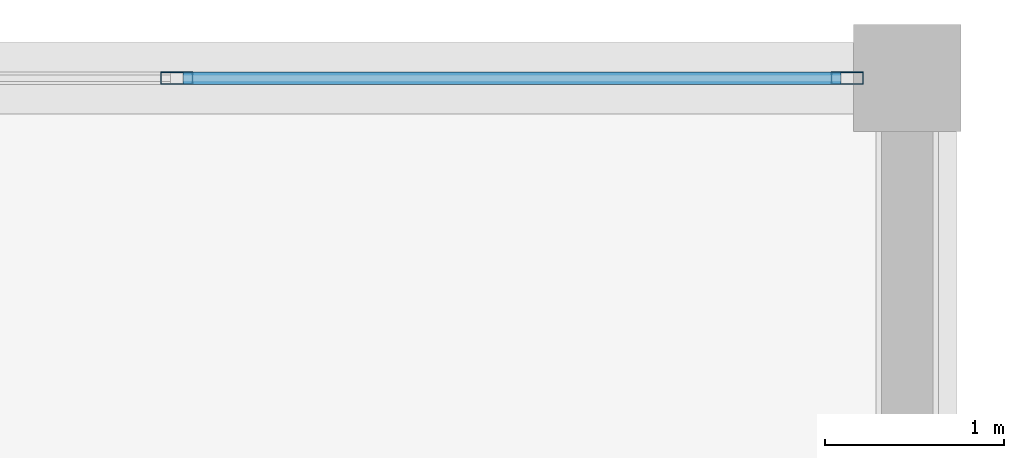
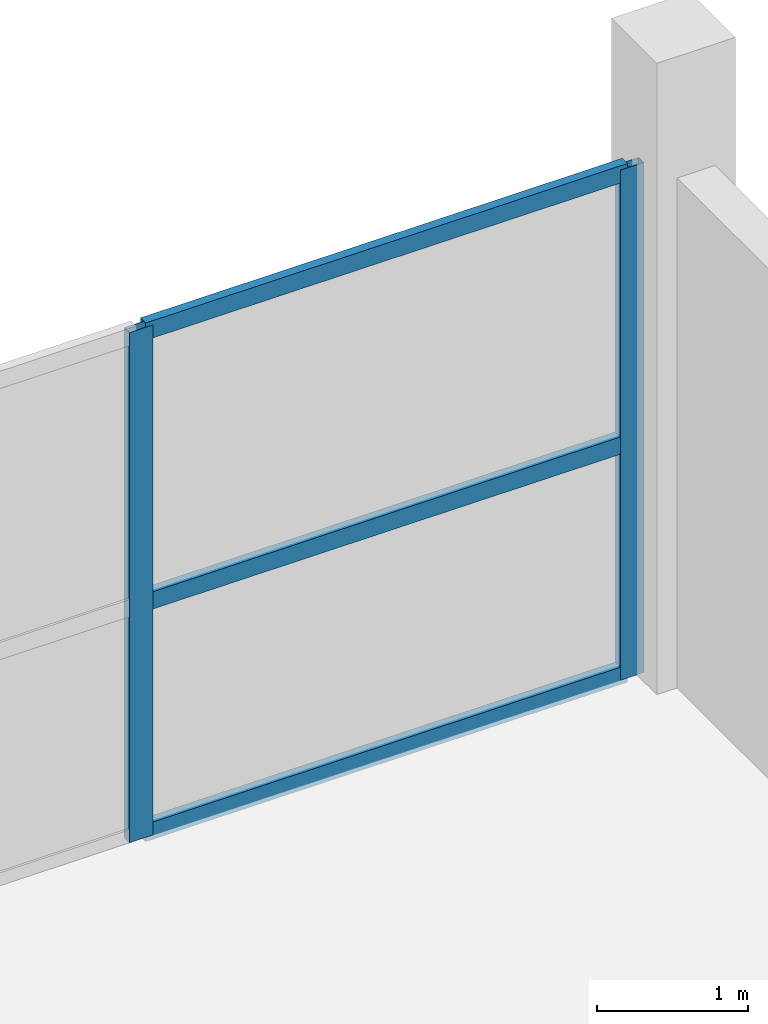
# One storey, part 46 of 66: 5 members, 1 element without a shape of its own.
"""IFC4 building model written with IfcOpenShell, lengths in metres."""

from ifc_helpers import new_model, si_unit, direction, frame, origin, origin_2d, place, context, subcontext, project, spatial, hollow_rectangle, extrude, material, layer, layer_set, material_profile, profile_set, type_object, element, aggregate, save


model = new_model("IFC4")

# Units and contexts
model_context = context("Model", 3, precision=1e-05, world=origin(), true_north=direction((0.0, 1.0)))
body_context = subcontext(model_context, "Body", "Model", "MODEL_VIEW")
ifc_project = project(units=[si_unit("LENGTHUNIT", "METRE"), si_unit("AREAUNIT", "SQUARE_METRE"), si_unit("VOLUMEUNIT", "CUBIC_METRE"), si_unit("PLANEANGLEUNIT", "RADIAN"), si_unit("MASSUNIT", "GRAM", prefix="KILO")], contexts=[model_context])

# Site, building, storey
site_placement = place(None, origin())
site = spatial("IfcSite", under=ifc_project, at=site_placement, CompositionType="ELEMENT")
building_placement = place(site_placement, origin())
building = spatial("IfcBuilding", under=site, at=building_placement, Name="Sillaruma Civic Art Gallery", CompositionType="ELEMENT")
storey_placement = place(building_placement, frame((0.0, 0.0, 57.1201171875)))
storey = spatial("IfcBuildingStorey", under=building, at=storey_placement, Name="L11", CompositionType="ELEMENT", Elevation=57.1201171875)

# Curtain wall, members
ifc_material = material(Name="Thermally Broken Extruded Aluminium 6063-T6", Category="aluminium")
ifc_layer = layer(ifc_material, 0.179931640625, Name="Thermally Broken Extruded Aluminium 6063-T6")
ifc_layer_set = layer_set([ifc_layer], Name="Thermally Broken Extruded Aluminium 6063-T6")
curtain_wall_type = type_object("IfcCurtainWallType", Name="CW-UNI-87", PredefinedType="NOTDEFINED", material=ifc_layer_set)
curtain_wall_placement = place(storey_placement, origin())
curtain_wall = element("IfcCurtainWall", 1, at=curtain_wall_placement, inside=storey, type_object=curtain_wall_type, Name="Unitised Curtain Wall CW-87 (CW-L11-EBN-2)", PredefinedType="NOTDEFINED")
ifc_material_profile_1 = material_profile(ifc_material, hollow_rectangle(XDim=0.070068359375, YDim=0.179931640625, WallThickness=0.00390625, at=origin_2d()), Name="CWM70x180")
ifc_profile_set_1 = profile_set([ifc_material_profile_1], Name="Thermally Broken Extruded Aluminium 6063-T6")
member_type_1 = type_object("IfcMemberType", Name="MEM-MUL-CWM70x180", PredefinedType="MULLION", material=ifc_profile_set_1)
member_1_placement = place(storey_placement, frame((110.3125, 99.0, 0.0), z_axis=(0.0, 0.0, 1.0), x_axis=(0.0, 1.0, 0.0)))
member_1 = element("IfcMember", 2, at=member_1_placement, type_object=member_type_1, Name="CW-87 mullion 2", PredefinedType="MULLION", context=body_context, shape_type="SweptSolid", body=[
    extrude(hollow_rectangle(XDim=0.070068359375, YDim=0.179931640625, WallThickness=0.00390625, at=origin_2d()), origin(), (0.0, 0.0, 1.0), 4.119873046875),
])
member_2_placement = place(storey_placement, frame((114.06494140625, 99.0, 0.0), z_axis=(0.0, 0.0, 1.0), x_axis=(0.0, 1.0, 0.0)))
member_2 = element("IfcMember", 3, at=member_2_placement, type_object=member_type_1, Name="CW-87 mullion 3", PredefinedType="MULLION", context=body_context, shape_type="SweptSolid", body=[
    extrude(hollow_rectangle(XDim=0.070068359375, YDim=0.179931640625, WallThickness=0.00390625, at=origin_2d()), origin(), (0.0, 0.0, 1.0), 4.119873046875),
])
ifc_material_profile_2 = material_profile(ifc_material, hollow_rectangle(XDim=0.070068359375, YDim=0.139892578125, WallThickness=0.00390625, at=origin_2d()), Name="CWT70x140")
ifc_profile_set_2 = profile_set([ifc_material_profile_2], Name="Thermally Broken Extruded Aluminium 6063-T6")
member_type_2 = type_object("IfcMemberType", Name="MEM-TRN-CWT70x140", PredefinedType="USERDEFINED", material=ifc_profile_set_2)
member_3_placement = place(storey_placement, frame((110.347412109375, 99.0, 0.034912109375), z_axis=(1.0, 0.0, 0.0), x_axis=(0.0, 1.0, 0.0)))
member_3 = element("IfcMember", 4, at=member_3_placement, type_object=member_type_2, Name="CW-87 transom 2.1", ObjectType="TRANSOM", PredefinedType="USERDEFINED", context=body_context, shape_type="SweptSolid", body=[
    extrude(hollow_rectangle(XDim=0.070068359375, YDim=0.139892578125, WallThickness=0.00390625, at=origin_2d()), origin(), (0.0, 0.0, 1.0), 3.6826171875),
])
member_4_placement = place(storey_placement, frame((110.347412109375, 99.0, 1.89501953125), z_axis=(1.0, 0.0, 0.0), x_axis=(0.0, 1.0, 0.0)))
member_4 = element("IfcMember", 5, at=member_4_placement, type_object=member_type_2, Name="CW-87 transom 2.2", ObjectType="TRANSOM", PredefinedType="USERDEFINED", context=body_context, shape_type="SweptSolid", body=[
    extrude(hollow_rectangle(XDim=0.070068359375, YDim=0.139892578125, WallThickness=0.00390625, at=origin_2d()), origin(), (0.0, 0.0, 1.0), 3.6826171875),
])
member_5_placement = place(storey_placement, frame((110.347412109375, 99.0, 4.0849609375), z_axis=(1.0, 0.0, 0.0), x_axis=(0.0, 1.0, 0.0)))
member_5 = element("IfcMember", 6, at=member_5_placement, type_object=member_type_2, Name="CW-87 transom 2.3", ObjectType="TRANSOM", PredefinedType="USERDEFINED", context=body_context, shape_type="SweptSolid", body=[
    extrude(hollow_rectangle(XDim=0.070068359375, YDim=0.139892578125, WallThickness=0.00390625, at=origin_2d()), origin(), (0.0, 0.0, 1.0), 3.6826171875),
])
aggregate(curtain_wall, [member_1, member_2, member_3, member_4, member_5])

save(model, "model.ifc")
